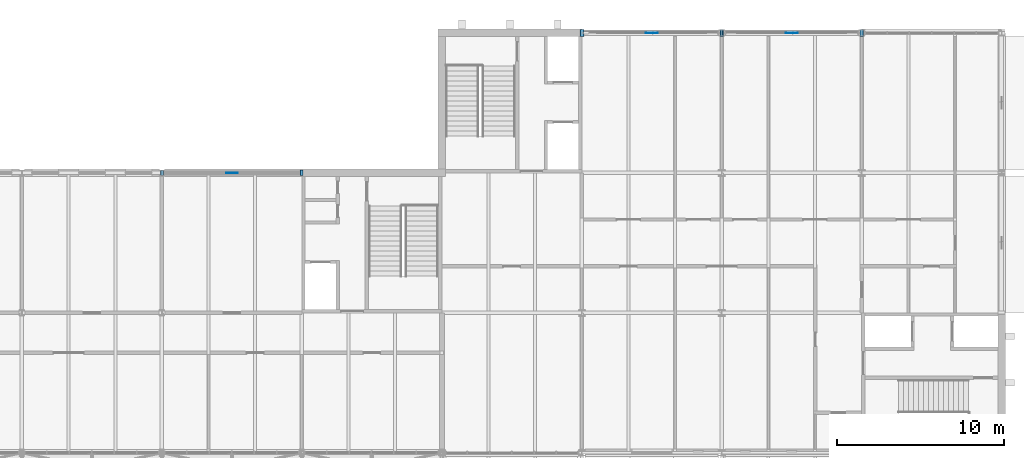
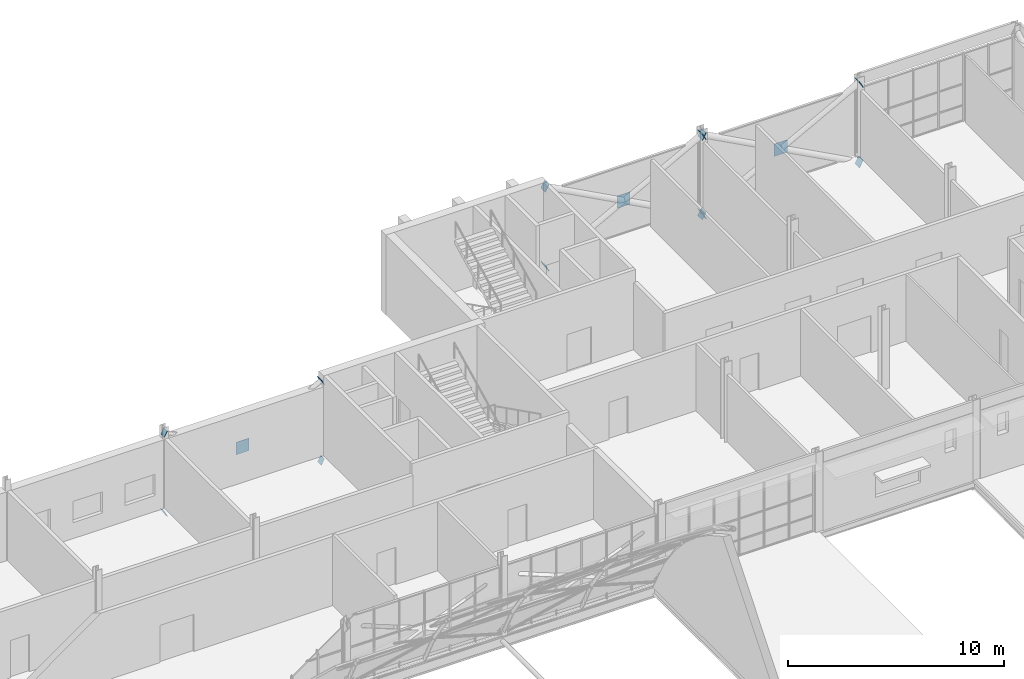
# One storey, part 118 of 121: 15 discrete accessories.
"""IFC4 building model written with IfcOpenShell, lengths in metres."""

from ifc_helpers import new_model, si_unit, direction, frame, origin, origin_2d, place, context, subcontext, project, spatial, rectangle, extrude, material, material_profile, profile_set, type_object, element, save


model = new_model("IFC4")

# Units and contexts
model_context = context("Model", 3, precision=1e-05, world=origin(), true_north=direction((0.0, 1.0)))
body_context = subcontext(model_context, "Body", "Model", "MODEL_VIEW")
ifc_project = project(units=[si_unit("LENGTHUNIT", "METRE"), si_unit("AREAUNIT", "SQUARE_METRE"), si_unit("VOLUMEUNIT", "CUBIC_METRE"), si_unit("PLANEANGLEUNIT", "RADIAN"), si_unit("MASSUNIT", "GRAM", prefix="KILO")], contexts=[model_context])

# Site, building, storey
site_placement = place(None, origin())
site = spatial("IfcSite", under=ifc_project, at=site_placement, CompositionType="ELEMENT")
building_placement = place(site_placement, origin())
building = spatial("IfcBuilding", under=site, at=building_placement, Name="Ardhachandra Cancer Care Centre", CompositionType="ELEMENT")
storey_placement = place(building_placement, frame((0.0, 0.0, 9.0)))
storey = spatial("IfcBuildingStorey", under=building, at=storey_placement, Name="L02", CompositionType="ELEMENT", Elevation=9.0)

# Discrete accessories
ifc_material_1 = material(Name="Steel E250 (IS 2062)", Category="steel")
ifc_material_profile_1 = material_profile(ifc_material_1, rectangle(XDim=0.344482421875, YDim=0.344482421875, at=origin_2d()), Name="PL 344x344x20")
ifc_profile_set_1 = profile_set([ifc_material_profile_1], Name="Steel E250 (IS 2062)")
discrete_accessory_type_1 = type_object("IfcDiscreteAccessoryType", Name="Brace end plate 344 x 344 x 20", PredefinedType="BRACKET", material=ifc_profile_set_1)
for number, where, z_axis, x_axis, name in (
    (1, (94.800048828125, 96.60009765625, -0.39990234375), (0.884384752847, 0.0, 0.466758619558), (0.0, 1.0, 0.0), "Brace end plate V1-X966-948 L02 A0"),
    (2, (103.199951171875, 96.60009765625, 4.117919921875), (-0.884384752847, 0.0, -0.466758619558), (0.0, -1.0, 0.0), "Brace end plate V1-X966-948 L02 A1"),
    (3, (103.199951171875, 96.60009765625, -0.39990234375), (-0.884384752847, 0.0, 0.466758619558), (0.0, -1.0, 0.0), "Brace end plate V1-X966-948 L02 B10"),
    (4, (94.800048828125, 96.60009765625, 4.117919921875), (0.884384752847, 0.0, -0.466758619558), (0.0, 1.0, 0.0), "Brace end plate V1-X966-948 L02 B21"),
):
    element("IfcDiscreteAccessory", number, at=place(storey_placement, frame(where, z_axis=z_axis, x_axis=x_axis)), inside=storey, type_object=discrete_accessory_type_1, Name=name, PredefinedType="BRACKET", context=body_context, shape_type="SweptSolid", body=[
        extrude(rectangle(XDim=0.344482421875, YDim=0.344482421875, at=origin_2d()), origin(), (0.0, 0.0, 1.0), 0.019775390625),
    ])
ifc_material_2 = material(Name="Steel E250 (IS 2062)", Category="steel")
ifc_material_profile_2 = material_profile(ifc_material_2, rectangle(XDim=0.423828125, YDim=0.423828125, at=origin_2d()), Name="PL 424x424x20")
ifc_profile_set_2 = profile_set([ifc_material_profile_2], Name="Steel E250 (IS 2062)")
discrete_accessory_type_2 = type_object("IfcDiscreteAccessoryType", Name="Brace end plate 424 x 424 x 20", PredefinedType="BRACKET", material=ifc_profile_set_2)
discrete_accessory_1_placement = place(storey_placement, frame((120.0, 105.0, -0.39990234375), z_axis=(0.884384752847, 0.0, 0.466758619558), x_axis=(0.0, 1.0, 0.0)))
element("IfcDiscreteAccessory", 5, at=discrete_accessory_1_placement, inside=storey, type_object=discrete_accessory_type_2, Name="Brace end plate V5-X1050-1200 L02 A0", PredefinedType="BRACKET", context=body_context, shape_type="SweptSolid", body=[
    extrude(rectangle(XDim=0.423828125, YDim=0.423828125, at=origin_2d()), origin(), (0.0, 0.0, 1.0), 0.019775390625),
])
discrete_accessory_2_placement = place(storey_placement, frame((128.39990234375, 105.0, 4.10009765625), z_axis=(-0.879291966537, 0.0, -0.476283148541), x_axis=(0.0, -1.0, 0.0)))
element("IfcDiscreteAccessory", 6, at=discrete_accessory_2_placement, inside=storey, type_object=discrete_accessory_type_2, Name="Brace end plate V5-X1050-1200 L02 A1", PredefinedType="BRACKET", context=body_context, shape_type="SweptSolid", body=[
    extrude(rectangle(XDim=0.423828125, YDim=0.423828125, at=origin_2d()), origin(), (0.0, 0.0, 1.0), 0.02001953125),
])
discrete_accessory_3_placement = place(storey_placement, frame((128.39990234375, 105.0, -0.39990234375), z_axis=(-0.884384752847, 0.0, 0.466758619558), x_axis=(0.0, -1.0, 0.0)))
element("IfcDiscreteAccessory", 7, at=discrete_accessory_3_placement, inside=storey, type_object=discrete_accessory_type_2, Name="Brace end plate V5-X1050-1200 L02 B10", PredefinedType="BRACKET", context=body_context, shape_type="SweptSolid", body=[
    extrude(rectangle(XDim=0.423828125, YDim=0.423828125, at=origin_2d()), origin(), (0.0, 0.0, 1.0), 0.019775390625),
])
for number, where, z_axis, x_axis, name in (
    (8, (120.0, 105.0, 4.10009765625), (0.879291966537, 0.0, -0.476283148541), (0.0, 1.0, 0.0), "Brace end plate V5-X1050-1200 L02 B21"),
    (9, (128.39990234375, 105.0, -0.39990234375), (0.887017774073, 0.0, 0.461735279655), (0.0, 1.0, 0.0), "Brace end plate V5-X1050-1284 L02 A0"),
    (10, (136.800048828125, 105.0, 4.10009765625), (-0.879291966537, 0.0, -0.476283148541), (0.0, -1.0, 0.0), "Brace end plate V5-X1050-1284 L02 A1"),
):
    element("IfcDiscreteAccessory", number, at=place(storey_placement, frame(where, z_axis=z_axis, x_axis=x_axis)), inside=storey, type_object=discrete_accessory_type_2, Name=name, PredefinedType="BRACKET", context=body_context, shape_type="SweptSolid", body=[
        extrude(rectangle(XDim=0.423828125, YDim=0.423828125, at=origin_2d()), origin(), (0.0, 0.0, 1.0), 0.02001953125),
    ])
discrete_accessory_4_placement = place(storey_placement, frame((136.800048828125, 105.0, -0.39990234375), z_axis=(-0.884384752847, 0.0, 0.466758619558), x_axis=(0.0, -1.0, 0.0)))
element("IfcDiscreteAccessory", 11, at=discrete_accessory_4_placement, inside=storey, type_object=discrete_accessory_type_2, Name="Brace end plate V5-X1050-1284 L02 B10", PredefinedType="BRACKET", context=body_context, shape_type="SweptSolid", body=[
    extrude(rectangle(XDim=0.423828125, YDim=0.423828125, at=origin_2d()), origin(), (0.0, 0.0, 1.0), 0.019775390625),
])
discrete_accessory_5_placement = place(storey_placement, frame((128.39990234375, 105.0, 4.10009765625), z_axis=(0.882018256262, 0.0, -0.471215232798), x_axis=(0.0, 1.0, 0.0)))
element("IfcDiscreteAccessory", 12, at=discrete_accessory_5_placement, inside=storey, type_object=discrete_accessory_type_2, Name="Brace end plate V5-X1050-1284 L02 B21", PredefinedType="BRACKET", context=body_context, shape_type="SweptSolid", body=[
    extrude(rectangle(XDim=0.423828125, YDim=0.423828125, at=origin_2d()), origin(), (0.0, 0.0, 1.0), 0.020263671875),
])
ifc_material_3 = material(Name="Steel E250 (IS 2062)", Category="steel")
ifc_material_profile_3 = material_profile(ifc_material_3, rectangle(XDim=0.699951171875, YDim=0.699951171875, at=origin_2d()), Name="PL 700x700x20")
ifc_profile_set_3 = profile_set([ifc_material_profile_3], Name="Steel E250 (IS 2062)")
discrete_accessory_type_3 = type_object("IfcDiscreteAccessoryType", Name="Brace node plate 700 x 700 x 20", PredefinedType="BRACKET", material=ifc_profile_set_3)
for number, where, z_axis, x_axis, name in (
    (13, (124.199951171875, 104.989990234375, 1.85009765625), (0.0, 1.0, 0.0), (-1.0, 0.0, 0.0), "Brace node plate V5-X1050-1200 L02"),
    (14, (132.60009765625, 104.989990234375, 1.85009765625), (0.0, 1.0, 0.0), (-1.0, 0.0, 0.0), "Brace node plate V5-X1050-1284 L02"),
    (15, (99.0, 96.590087890625, 1.85888671875), (0.0, 1.0, 0.0), (-1.0, 0.0, 0.0), "Brace node plate V1-X966-948 L02"),
):
    element("IfcDiscreteAccessory", number, at=place(storey_placement, frame(where, z_axis=z_axis, x_axis=x_axis)), inside=storey, type_object=discrete_accessory_type_3, Name=name, PredefinedType="BRACKET", context=body_context, shape_type="SweptSolid", body=[
        extrude(rectangle(XDim=0.699951171875, YDim=0.699951171875, at=origin_2d()), origin(), (0.0, 0.0, 1.0), 0.02001953125),
    ])

save(model, "model.ifc")
